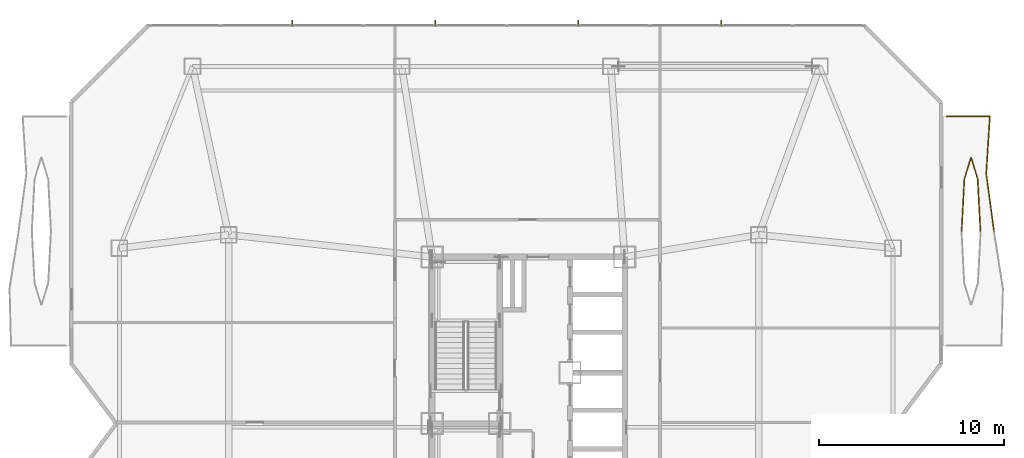
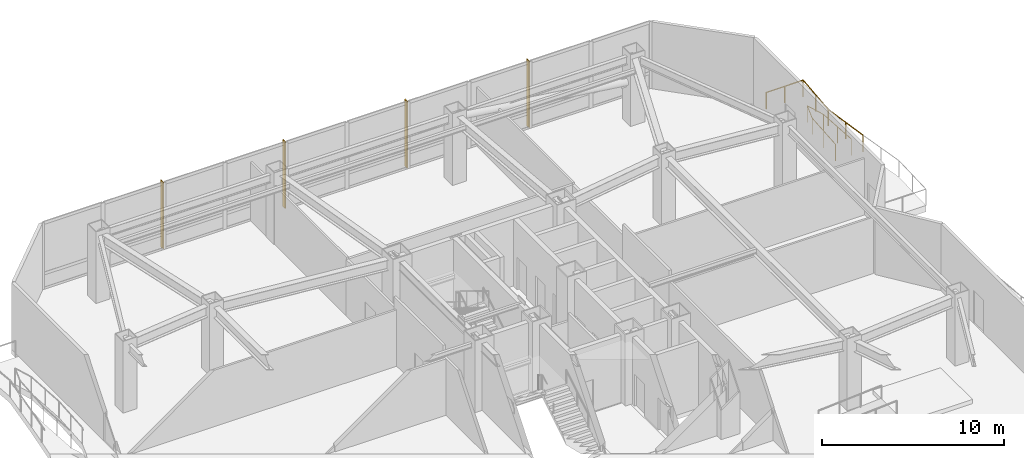
# One storey, part 16 of 16: 4 shading devices, 2 railings.
"""IFC4 building model written with IfcOpenShell, lengths in metres."""

from ifc_helpers import new_model, si_unit, direction, frame, origin, origin_2d, place, context, subcontext, project, spatial, rectangle, circle, extrude, material, type_object, element, save


model = new_model("IFC4")

# Units and contexts
model_context = context("Model", 3, precision=1e-05, world=origin(), true_north=direction((0.0, 1.0)))
body_context = subcontext(model_context, "Body", "Model", "MODEL_VIEW")
ifc_project = project(units=[si_unit("LENGTHUNIT", "METRE"), si_unit("AREAUNIT", "SQUARE_METRE"), si_unit("VOLUMEUNIT", "CUBIC_METRE"), si_unit("PLANEANGLEUNIT", "RADIAN"), si_unit("MASSUNIT", "GRAM", prefix="KILO")], contexts=[model_context])

# Site, building, storey
site_placement = place(None, origin())
site = spatial("IfcSite", under=ifc_project, at=site_placement, CompositionType="ELEMENT")
building_placement = place(site_placement, origin())
building = spatial("IfcBuilding", under=site, at=building_placement, Name="Khamvora Tower", CompositionType="ELEMENT")
storey_placement = place(building_placement, frame((0.0, 0.0, 145.699951171875)))
storey = spatial("IfcBuildingStorey", under=building, at=storey_placement, Name="L37", CompositionType="ELEMENT", Elevation=145.699951171875)

# Railings
ifc_material_1 = material(Name="Stainless Steel 316 and Laminated Glass", Category="steel")
railing_type = type_object("IfcRailingType", Name="RAL-GAL-1120", PredefinedType="GUARDRAIL", material=ifc_material_1)
railing_1_placement = place(storey_placement, frame((59.360107421875, 38.39990234375, 0.0)))
element("IfcRailing", 1, at=railing_1_placement, inside=storey, type_object=railing_type, Name="L37 lens gallery north perimeter guardrail EL2", PredefinedType="GUARDRAIL", context=body_context, shape_type="SweptSolid", body=[
    extrude(circle(Radius=0.02392578125, at=origin_2d()), frame((0.0, 0.0, 1.09619140625), z_axis=(-0.134305225995, 0.990940011439, 0.0), x_axis=(-0.990940011439, -0.134305225995, 0.0)), (0.0, 0.0, 1.0), 3.12841796875),
    extrude(circle(Radius=0.02392578125, at=origin_2d()), frame((-0.420166015625, 3.10009765625, 1.09619140625), z_axis=(0.063738458242, 0.997966637188, 0.0), x_axis=(-0.997966637188, 0.063738458242, 0.0)), (0.0, 0.0, 1.0), 3.1064453125),
    extrude(circle(Radius=0.02392578125, at=origin_2d()), frame((-0.22216796875, 6.2001953125, 1.09619140625), z_axis=(-1.0, 0.0, 0.0), x_axis=(0.0, -1.0, 0.0)), (0.0, 0.0, 1.0), 2.337890625),
    extrude(circle(Radius=0.02099609375, at=origin_2d()), origin(), (0.0, 0.0, 1.0), 1.072021484375),
    extrude(circle(Radius=0.02099609375, at=origin_2d()), frame((-0.2099609375, 1.550048828125, 0.0)), (0.0, 0.0, 1.0), 1.072021484375),
    extrude(circle(Radius=0.02099609375, at=origin_2d()), frame((-0.420166015625, 3.10009765625, 0.0)), (0.0, 0.0, 1.0), 1.072021484375),
    extrude(circle(Radius=0.02099609375, at=origin_2d()), frame((-0.3212890625, 4.650146484375, 0.0)), (0.0, 0.0, 1.0), 1.072021484375),
    extrude(circle(Radius=0.02099609375, at=origin_2d()), frame((-0.22216796875, 6.2001953125, 0.0)), (0.0, 0.0, 1.0), 1.072021484375),
    extrude(circle(Radius=0.02099609375, at=origin_2d()), frame((-1.39111328125, 6.2001953125, 0.0)), (0.0, 0.0, 1.0), 1.072021484375),
    extrude(circle(Radius=0.02099609375, at=origin_2d()), frame((-2.56005859375, 6.2001953125, 0.0)), (0.0, 0.0, 1.0), 1.072021484375),
])
railing_2_placement = place(storey_placement, frame((58.618896484375, 38.39990234375, 0.0)))
element("IfcRailing", 2, at=railing_2_placement, inside=storey, type_object=railing_type, Name="L37 lens gallery void guardrail EL2A", PredefinedType="GUARDRAIL", context=body_context, shape_type="SweptSolid", body=[
    extrude(circle(Radius=0.02392578125, at=origin_2d()), frame((0.0, 0.0, 1.09619140625), z_axis=(-0.05265003421, 0.998613025099, 0.0), x_axis=(-0.998613025099, -0.05265003421, 0.0)), (0.0, 0.0, 1.0), 2.81005859375),
    extrude(circle(Radius=0.02392578125, at=origin_2d()), frame((-0.14794921875, 2.80615234375, 1.09619140625), z_axis=(-0.292927952476, 0.956134517031, 0.0), x_axis=(-0.956134517031, -0.292927952476, 0.0)), (0.0, 0.0, 1.0), 1.215087890625),
    extrude(circle(Radius=0.02392578125, at=origin_2d()), frame((-0.50390625, 3.968017578125, 1.09619140625), z_axis=(-0.292927952476, -0.956134517031, 0.0), x_axis=(0.956134517031, -0.292927952476, 0.0)), (0.0, 0.0, 1.0), 1.215087890625),
    extrude(circle(Radius=0.02392578125, at=origin_2d()), frame((-0.85986328125, 2.80615234375, 1.09619140625), z_axis=(-0.05265003421, -0.998613025099, 0.0), x_axis=(0.998613025099, -0.05265003421, 0.0)), (0.0, 0.0, 1.0), 2.81005859375),
    extrude(circle(Radius=0.02099609375, at=origin_2d()), origin(), (0.0, 0.0, 1.0), 1.072021484375),
    extrude(circle(Radius=0.02099609375, at=origin_2d()), frame((-0.073974609375, 1.403076171875, 0.0)), (0.0, 0.0, 1.0), 1.072021484375),
    extrude(circle(Radius=0.02099609375, at=origin_2d()), frame((-0.14794921875, 2.80615234375, 0.0)), (0.0, 0.0, 1.0), 1.072021484375),
    extrude(circle(Radius=0.02099609375, at=origin_2d()), frame((-0.50390625, 3.968017578125, 0.0)), (0.0, 0.0, 1.0), 1.072021484375),
    extrude(circle(Radius=0.02099609375, at=origin_2d()), frame((-0.85986328125, 2.80615234375, 0.0)), (0.0, 0.0, 1.0), 1.072021484375),
    extrude(circle(Radius=0.02099609375, at=origin_2d()), frame((-0.933837890625, 1.403076171875, 0.0)), (0.0, 0.0, 1.0), 1.072021484375),
    extrude(circle(Radius=0.02099609375, at=origin_2d()), frame((-1.0078125, 0.0, 0.0)), (0.0, 0.0, 1.0), 1.072021484375),
])

# Shading devices
ifc_material_2 = material(Name="Pale Anodised Aluminium 6063-T6", Category="aluminium")
shading_device_type = type_object("IfcShadingDeviceType", Name="SHD-FIN-280", PredefinedType="USERDEFINED", material=ifc_material_2)
for number, where, z_axis, x_axis, name in (
    (3, (21.43310546875, 49.6650390625, 0.0), (0.0, 0.0, 1.0), (1.0, 0.0, 0.0), "L37 anodised bronze solar fin 07.01"),
    (4, (29.1650390625, 49.6650390625, 0.0), (0.0, 0.0, 1.0), (1.0, 0.0, 0.0), "L37 anodised bronze solar fin 07.02"),
    (5, (36.89599609375, 49.6650390625, 0.0), (0.0, 0.0, 1.0), (1.0, 0.0, 0.0), "L37 anodised bronze solar fin 07.03"),
    (6, (44.6279296875, 49.6650390625, 0.0), (0.0, 0.0, 1.0), (1.0, 0.0, 0.0), "L37 anodised bronze solar fin 07.04"),
):
    element("IfcShadingDevice", number, at=place(storey_placement, frame(where, z_axis=z_axis, x_axis=x_axis)), inside=storey, type_object=shading_device_type, Name=name, ObjectType="FIN", PredefinedType="USERDEFINED", context=body_context, shape_type="SweptSolid", body=[
        extrude(rectangle(XDim=0.050048828125, YDim=0.280029296875, at=origin_2d()), origin(), (0.0, 0.0, 1.0), 4.47998046875),
    ])

save(model, "model.ifc")
